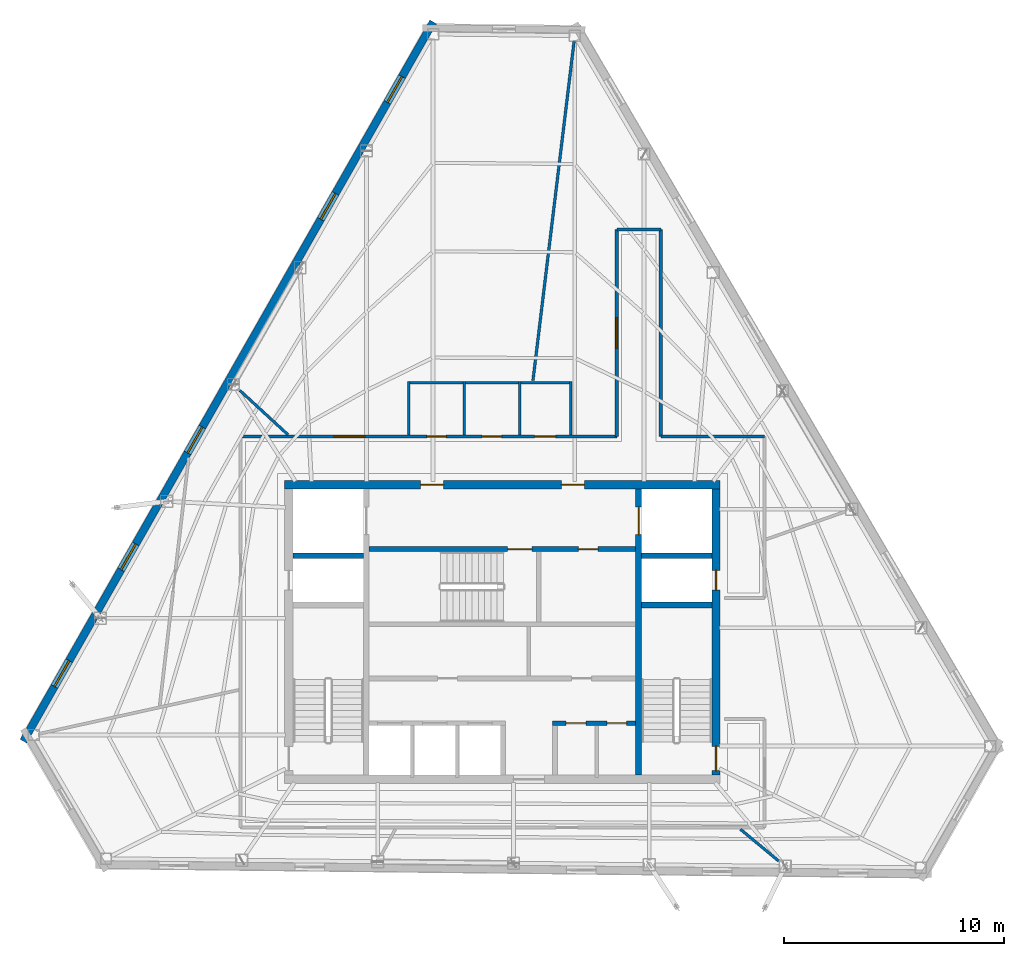
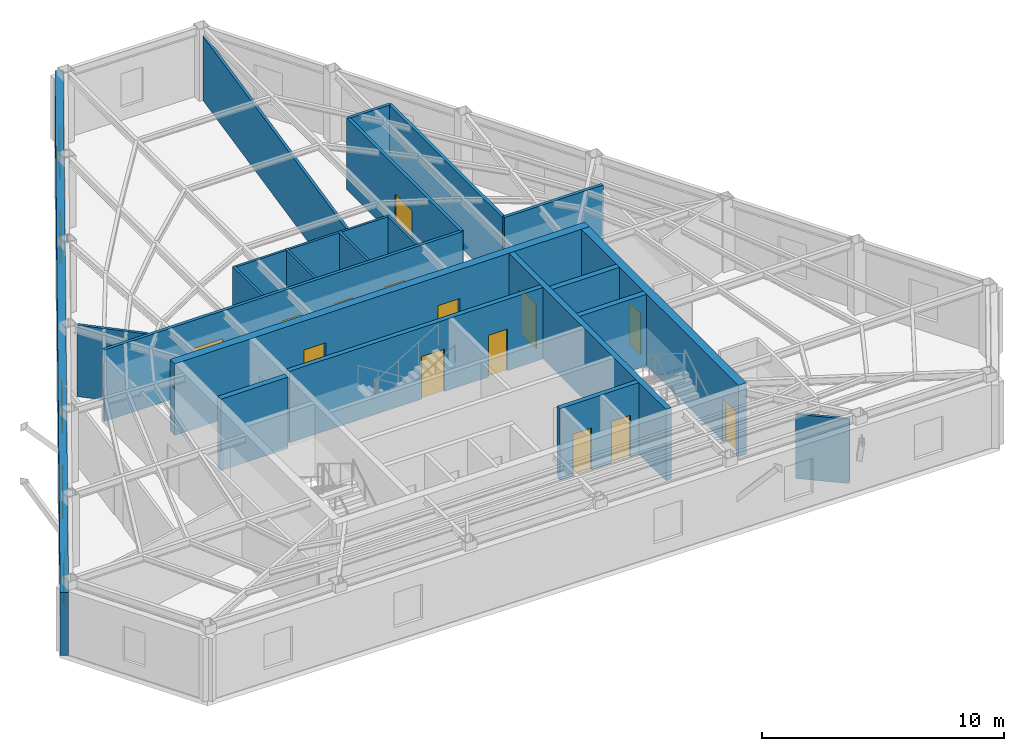
# One storey, part 9 of 11: 22 walls, 14 doors, 5 windows, 19 openings.
"""IFC4 building model written with IfcOpenShell, lengths in metres."""

from ifc_helpers import new_model, si_unit, direction, frame, frame_2d, origin, place, context, subcontext, project, spatial, rectangle, extrude, material, layer, layer_set, type_object, element, fill, save


model = new_model("IFC4")

# Units and contexts
model_context = context("Model", 3, precision=1e-05, world=origin(), true_north=direction((0.0, 1.0)))
body_context = subcontext(model_context, "Body", "Model", "MODEL_VIEW")
ifc_project = project(units=[si_unit("LENGTHUNIT", "METRE"), si_unit("AREAUNIT", "SQUARE_METRE"), si_unit("VOLUMEUNIT", "CUBIC_METRE"), si_unit("PLANEANGLEUNIT", "RADIAN"), si_unit("MASSUNIT", "GRAM", prefix="KILO")], contexts=[model_context])

# Site, building, storey
site_placement = place(None, origin())
site = spatial("IfcSite", under=ifc_project, at=site_placement, CompositionType="ELEMENT")
building_placement = place(site_placement, origin())
building = spatial("IfcBuilding", under=site, at=building_placement, Name="Kavelnor Concourse Tower", CompositionType="ELEMENT")
storey_placement = place(building_placement, frame((0.0, 0.0, 258.75)))
storey = spatial("IfcBuildingStorey", under=building, at=storey_placement, Name="L65", CompositionType="ELEMENT", Elevation=258.75)

# Wall, openings, doors
ifc_material_1 = material(Name="Concrete C50/60", Category="concrete")
ifc_layer_1 = layer(ifc_material_1, 0.3798828125, Name="Concrete C50/60")
ifc_layer_set_1 = layer_set([ifc_layer_1], Name="Concrete C50/60")
wall_type_1 = type_object("IfcWallType", Name="WL-CORE-Z4-380", PredefinedType="SOLIDWALL", material=ifc_layer_set_1)
wall_1_placement = place(storey_placement, frame((28.10009765625, 22.7900390625, 0.0), z_axis=(0.0, 0.0, 1.0), x_axis=(1.0, 0.0, 0.0)))
wall_1 = element("IfcWall", 1, at=wall_1_placement, inside=storey, type_object=wall_type_1, Name="L65 Central Core North Shear Wall", PredefinedType="SOLIDWALL", context=body_context, shape_type="SweptSolid", body=[
    extrude(rectangle(XDim=19.7998046875, YDim=0.3798828125, at=frame_2d((9.89990234375, 0.0))), origin(), (0.0, 0.0, 1.0), 3.610107421875),
])
opening_1_placement = place(wall_1_placement, frame((6.175048828125, 0.0, 0.0)))
opening_1 = element("IfcOpeningElement", 2, at=opening_1_placement, cuts=wall_1, Name="Opening FD-105", PredefinedType="OPENING", context=body_context, shape_type="SweptSolid", body=[
    extrude(rectangle(XDim=1.050048828125, YDim=2.14990234375, at=frame_2d((0.52490234375, 1.074951171875))), frame((0.0, 0.199951171875, 0.0), z_axis=(0.0, -1.0, 0.0), x_axis=(1.0, 0.0, 0.0)), (0.0, 0.0, 1.0), 0.39990234375),
])
opening_2_placement = place(wall_1_placement, frame((12.574951171875, 0.0, 0.0)))
opening_2 = element("IfcOpeningElement", 3, at=opening_2_placement, cuts=wall_1, Name="Opening FD-105", PredefinedType="OPENING", context=body_context, shape_type="SweptSolid", body=[
    extrude(rectangle(XDim=1.050048828125, YDim=2.14990234375, at=frame_2d((0.52490234375, 1.074951171875))), frame((0.0, 0.199951171875, 0.0), z_axis=(0.0, -1.0, 0.0), x_axis=(1.0, 0.0, 0.0)), (0.0, 0.0, 1.0), 0.39990234375),
])
ifc_material_2 = material(Name="Steel Grade 350", Category="steel")
door_type_1 = type_object("IfcDoorType", Name="DR-LOBBY-FIRE-1050", OperationType="NOTDEFINED", PredefinedType="DOOR", material=ifc_material_2)
door_1_placement = place(opening_1_placement, origin())
door_1 = element("IfcDoor", 4, at=door_1_placement, inside=storey, type_object=door_type_1, Name="L65 Emergency Lift Lobby West Door", OperationType="SINGLE_SWING_LEFT", OverallHeight=2.14990234375, OverallWidth=1.050048828125, PredefinedType="DOOR", context=body_context, shape_type="SweptSolid", body=[
    extrude(rectangle(XDim=1.050048828125, YDim=2.14990234375, at=frame_2d((0.52490234375, 1.074951171875))), frame((0.0, 0.02490234375, 0.0), z_axis=(0.0, -1.0, 0.0), x_axis=(1.0, 0.0, 0.0)), (0.0, 0.0, 1.0), 0.050048828125),
])
fill(opening_1, door_1)
door_2_placement = place(opening_2_placement, origin())
door_2 = element("IfcDoor", 5, at=door_2_placement, inside=storey, type_object=door_type_1, Name="L65 Emergency Lift Lobby East Door", OperationType="SINGLE_SWING_RIGHT", OverallHeight=2.14990234375, OverallWidth=1.050048828125, PredefinedType="DOOR", context=body_context, shape_type="SweptSolid", body=[
    extrude(rectangle(XDim=1.050048828125, YDim=2.14990234375, at=frame_2d((0.52490234375, 1.074951171875))), frame((0.0, 0.02490234375, 0.0), z_axis=(0.0, -1.0, 0.0), x_axis=(1.0, 0.0, 0.0)), (0.0, 0.0, 1.0), 0.050048828125),
])
fill(opening_2, door_2)

wall_2_placement = place(storey_placement, frame((47.7099609375, 9.60009765625, 0.0), z_axis=(0.0, 0.0, 1.0), x_axis=(0.0, 1.0, 0.0)))
wall_2 = element("IfcWall", 6, at=wall_2_placement, inside=storey, type_object=wall_type_1, Name="L65 Central Core East Shear Wall", PredefinedType="SOLIDWALL", context=body_context, shape_type="SweptSolid", body=[
    extrude(rectangle(XDim=13.0, YDim=0.3798828125, at=frame_2d((6.5, 0.0))), origin(), (0.0, 0.0, 1.0), 3.610107421875),
])
opening_3_placement = place(wall_2_placement, frame((0.199951171875, 0.0, 0.0)))
opening_3 = element("IfcOpeningElement", 7, at=opening_3_placement, cuts=wall_2, Name="Opening FD-110", PredefinedType="OPENING", context=body_context, shape_type="SweptSolid", body=[
    extrude(rectangle(XDim=1.10009765625, YDim=2.14990234375, at=frame_2d((0.550048828125, 1.074951171875))), frame((0.0, 0.199951171875, 0.0), z_axis=(0.0, -1.0, 0.0), x_axis=(1.0, 0.0, 0.0)), (0.0, 0.0, 1.0), 0.39990234375),
])
opening_4_placement = place(wall_2_placement, frame((8.39990234375, 0.0, 0.0)))
opening_4 = element("IfcOpeningElement", 8, at=opening_4_placement, cuts=wall_2, Name="Opening FD-090", PredefinedType="OPENING", context=body_context, shape_type="SweptSolid", body=[
    extrude(rectangle(XDim=0.89990234375, YDim=2.10009765625, at=frame_2d((0.449951171875, 1.050048828125))), frame((0.0, 0.199951171875, 0.0), z_axis=(0.0, -1.0, 0.0), x_axis=(1.0, 0.0, 0.0)), (0.0, 0.0, 1.0), 0.39990234375),
])
door_type_2 = type_object("IfcDoorType", Name="DR-RISER-FIRE-900", OperationType="NOTDEFINED", PredefinedType="DOOR", material=ifc_material_2)
door_3_placement = place(opening_4_placement, origin())
door_3 = element("IfcDoor", 9, at=door_3_placement, inside=storey, type_object=door_type_2, Name="L65 East Riser Access Door", OperationType="SINGLE_SWING_LEFT", OverallHeight=2.10009765625, OverallWidth=0.89990234375, PredefinedType="DOOR", context=body_context, shape_type="SweptSolid", body=[
    extrude(rectangle(XDim=0.89990234375, YDim=2.10009765625, at=frame_2d((0.449951171875, 1.050048828125))), frame((0.0, 0.02490234375, 0.0), z_axis=(0.0, -1.0, 0.0), x_axis=(1.0, 0.0, 0.0)), (0.0, 0.0, 1.0), 0.050048828125),
])
fill(opening_4, door_3)
door_type_3 = type_object("IfcDoorType", Name="DR-STAIR-FIRE-1100", OperationType="NOTDEFINED", PredefinedType="DOOR", material=ifc_material_2)
door_4_placement = place(opening_3_placement, origin())
door_4 = element("IfcDoor", 10, at=door_4_placement, inside=storey, type_object=door_type_3, Name="L65 Stair ST2 Fire Door", OperationType="SINGLE_SWING_RIGHT", OverallHeight=2.14990234375, OverallWidth=1.10009765625, PredefinedType="DOOR", context=body_context, shape_type="SweptSolid", body=[
    extrude(rectangle(XDim=1.10009765625, YDim=2.14990234375, at=frame_2d((0.550048828125, 1.074951171875))), frame((0.0, 0.02490234375, 0.0), z_axis=(0.0, -1.0, 0.0), x_axis=(1.0, 0.0, 0.0)), (0.0, 0.0, 1.0), 0.050048828125),
])
fill(opening_3, door_4)

# Wall, openings, windows
ifc_material_3 = material(Name="Red-ochre clay face brick masonry", Category="masonry")
ifc_layer_2 = layer(ifc_material_3, 0.35009765625, Name="Red-ochre clay face brick masonry")
ifc_layer_set_2 = layer_set([ifc_layer_2], Name="Red-ochre clay face brick masonry")
wall_type_2 = type_object("IfcWallType", Name="WL-EXT-RED-BRICK-PIER-350", PredefinedType="STANDARD", material=ifc_layer_set_2)
wall_3_placement = place(storey_placement, frame((16.214111328125, 11.135498046875, 0.0), z_axis=(0.0, 0.0, 1.0), x_axis=(0.49510347201, 0.868834018673, 0.0)))
wall_3 = element("IfcWall", 11, at=wall_3_placement, inside=storey, type_object=wall_type_2, Name="L65 Exterior Brick Facade Wall E1", PredefinedType="STANDARD", context=body_context, shape_type="SweptSolid", body=[
    extrude(rectangle(XDim=37.64306640625, YDim=0.35009765625, at=frame_2d((18.821533203125, 0.0))), origin(), (0.0, 0.0, 1.0), 3.196044921875),
])
opening_5_placement = place(wall_3_placement, frame((33.4287109375, 0.0, 0.64990234375)))
opening_5 = element("IfcOpeningElement", 12, at=opening_5_placement, cuts=wall_3, Name="Opening W-04", PredefinedType="OPENING", context=body_context, shape_type="SweptSolid", body=[
    extrude(rectangle(XDim=1.35009765625, YDim=1.75, at=frame_2d((0.675048828125, 0.875))), frame((0.0, 0.18505859375, 0.0), z_axis=(0.0, -1.0, 0.0), x_axis=(1.0, 0.0, 0.0)), (0.0, 0.0, 1.0), 0.3701171875),
])
opening_6_placement = place(wall_3_placement, frame((27.314697265625, 0.0, 0.64990234375)))
opening_6 = element("IfcOpeningElement", 13, at=opening_6_placement, cuts=wall_3, Name="Opening W-04", PredefinedType="OPENING", context=body_context, shape_type="SweptSolid", body=[
    extrude(rectangle(XDim=1.35009765625, YDim=1.75, at=frame_2d((0.675048828125, 0.875))), frame((0.0, 0.18505859375, 0.0), z_axis=(0.0, -1.0, 0.0), x_axis=(1.0, 0.0, 0.0)), (0.0, 0.0, 1.0), 0.3701171875),
])
opening_7_placement = place(wall_3_placement, frame((15.0869140625, 0.0, 0.64990234375)))
opening_7 = element("IfcOpeningElement", 14, at=opening_7_placement, cuts=wall_3, Name="Opening W-04", PredefinedType="OPENING", context=body_context, shape_type="SweptSolid", body=[
    extrude(rectangle(XDim=1.35009765625, YDim=1.75, at=frame_2d((0.675048828125, 0.875))), frame((0.0, 0.18505859375, 0.0), z_axis=(0.0, -1.0, 0.0), x_axis=(1.0, 0.0, 0.0)), (0.0, 0.0, 1.0), 0.3701171875),
])
opening_8_placement = place(wall_3_placement, frame((8.972900390625, 0.0, 0.64990234375)))
opening_8 = element("IfcOpeningElement", 15, at=opening_8_placement, cuts=wall_3, Name="Opening W-04", PredefinedType="OPENING", context=body_context, shape_type="SweptSolid", body=[
    extrude(rectangle(XDim=1.35009765625, YDim=1.75, at=frame_2d((0.675048828125, 0.875))), frame((0.0, 0.18505859375, 0.0), z_axis=(0.0, -1.0, 0.0), x_axis=(1.0, 0.0, 0.0)), (0.0, 0.0, 1.0), 0.3701171875),
])
opening_9_placement = place(wall_3_placement, frame((2.85888671875, 0.0, 0.64990234375)))
opening_9 = element("IfcOpeningElement", 16, at=opening_9_placement, cuts=wall_3, Name="Opening W-04", PredefinedType="OPENING", context=body_context, shape_type="SweptSolid", body=[
    extrude(rectangle(XDim=1.35009765625, YDim=1.75, at=frame_2d((0.675048828125, 0.875))), frame((0.0, 0.18505859375, 0.0), z_axis=(0.0, -1.0, 0.0), x_axis=(1.0, 0.0, 0.0)), (0.0, 0.0, 1.0), 0.3701171875),
])
ifc_material_4 = material(Name="Double low-E argon insulated glazing", Category="glass")
window_type = type_object("IfcWindowType", Name="WIN-PIER-Z4-1350", PartitioningType="SINGLE_PANEL", PredefinedType="WINDOW", material=ifc_material_4)
window_1_placement = place(opening_5_placement, origin())
window_1 = element("IfcWindow", 17, at=window_1_placement, inside=storey, type_object=window_type, Name="L65 Deep-Set Brick Pier Window F0-B0", OverallHeight=1.75, OverallWidth=1.35009765625, PartitioningType="SINGLE_PANEL", PredefinedType="WINDOW", context=body_context, shape_type="SweptSolid", body=[
    extrude(rectangle(XDim=1.35009765625, YDim=1.75, at=frame_2d((0.675048828125, 0.875))), frame((0.0, 0.030029296875, 0.0), z_axis=(0.0, -1.0, 0.0), x_axis=(1.0, 0.0, 0.0)), (0.0, 0.0, 1.0), 0.06005859375),
])
fill(opening_5, window_1)
window_2_placement = place(opening_6_placement, origin())
window_2 = element("IfcWindow", 18, at=window_2_placement, inside=storey, type_object=window_type, Name="L65 Deep-Set Brick Pier Window F0-B1", OverallHeight=1.75, OverallWidth=1.35009765625, PartitioningType="SINGLE_PANEL", PredefinedType="WINDOW", context=body_context, shape_type="SweptSolid", body=[
    extrude(rectangle(XDim=1.35009765625, YDim=1.75, at=frame_2d((0.675048828125, 0.875))), frame((0.0, 0.030029296875, 0.0), z_axis=(0.0, -1.0, 0.0), x_axis=(1.0, 0.0, 0.0)), (0.0, 0.0, 1.0), 0.06005859375),
])
fill(opening_6, window_2)
window_3_placement = place(opening_7_placement, origin())
window_3 = element("IfcWindow", 19, at=window_3_placement, inside=storey, type_object=window_type, Name="L65 Deep-Set Brick Pier Window F0-B3", OverallHeight=1.75, OverallWidth=1.35009765625, PartitioningType="SINGLE_PANEL", PredefinedType="WINDOW", context=body_context, shape_type="SweptSolid", body=[
    extrude(rectangle(XDim=1.35009765625, YDim=1.75, at=frame_2d((0.675048828125, 0.875))), frame((0.0, 0.030029296875, 0.0), z_axis=(0.0, -1.0, 0.0), x_axis=(1.0, 0.0, 0.0)), (0.0, 0.0, 1.0), 0.06005859375),
])
fill(opening_7, window_3)
window_4_placement = place(opening_8_placement, origin())
window_4 = element("IfcWindow", 20, at=window_4_placement, inside=storey, type_object=window_type, Name="L65 Deep-Set Brick Pier Window F0-B4", OverallHeight=1.75, OverallWidth=1.35009765625, PartitioningType="SINGLE_PANEL", PredefinedType="WINDOW", context=body_context, shape_type="SweptSolid", body=[
    extrude(rectangle(XDim=1.35009765625, YDim=1.75, at=frame_2d((0.675048828125, 0.875))), frame((0.0, 0.030029296875, 0.0), z_axis=(0.0, -1.0, 0.0), x_axis=(1.0, 0.0, 0.0)), (0.0, 0.0, 1.0), 0.06005859375),
])
fill(opening_8, window_4)
window_5_placement = place(opening_9_placement, origin())
window_5 = element("IfcWindow", 21, at=window_5_placement, inside=storey, type_object=window_type, Name="L65 Deep-Set Brick Pier Window F0-B5", OverallHeight=1.75, OverallWidth=1.35009765625, PartitioningType="SINGLE_PANEL", PredefinedType="WINDOW", context=body_context, shape_type="SweptSolid", body=[
    extrude(rectangle(XDim=1.35009765625, YDim=1.75, at=frame_2d((0.675048828125, 0.875))), frame((0.0, 0.030029296875, 0.0), z_axis=(0.0, -1.0, 0.0), x_axis=(1.0, 0.0, 0.0)), (0.0, 0.0, 1.0), 0.06005859375),
])
fill(opening_9, window_5)

# Wall, opening, door
ifc_material_5 = material(Name="Gypsum plasterboard on light-gauge steel studs", Category="steel")
ifc_layer_3 = layer(ifc_material_5, 0.14501953125, Name="Gypsum plasterboard on light-gauge steel studs")
ifc_layer_set_3 = layer_set([ifc_layer_3], Name="Gypsum plasterboard on light-gauge steel studs")
wall_type_3 = type_object("IfcWallType", Name="WL-INT-CORR-145", PredefinedType="PARTITIONING", material=ifc_layer_set_3)
wall_4_placement = place(storey_placement, frame((43.199951171875, 24.989990234375, 0.0), z_axis=(0.0, 0.0, 1.0), x_axis=(0.0, 1.0, 0.0)))
wall_4 = element("IfcWall", 22, at=wall_4_placement, inside=storey, type_object=wall_type_3, Name="L65 Corridor Wall WL-L65-CR-01", PredefinedType="PARTITIONING", context=body_context, shape_type="SweptSolid", body=[
    extrude(rectangle(XDim=9.409912109375, YDim=0.14501953125, at=frame_2d((4.705078125, 0.0))), origin(), (0.0, 0.0, 1.0), 3.610107421875),
])
opening_10_placement = place(wall_4_placement, frame((4.0048828125, 0.0, 0.0)))
opening_10 = element("IfcOpeningElement", 23, at=opening_10_placement, cuts=wall_4, Name="Opening SD-140", PredefinedType="OPENING", context=body_context, shape_type="SweptSolid", body=[
    extrude(rectangle(XDim=1.39990234375, YDim=2.199951171875, at=frame_2d((0.699951171875, 1.10009765625))), frame((0.0, 0.08251953125, 0.0), z_axis=(0.0, -1.0, 0.0), x_axis=(1.0, 0.0, 0.0)), (0.0, 0.0, 1.0), 0.1650390625),
])
ifc_material_6 = material(Name="Solid-core hardwood timber", Category="wood")
door_type_4 = type_object("IfcDoorType", Name="DR-SUITE-ENTRY-1400", OperationType="NOTDEFINED", PredefinedType="DOOR", material=ifc_material_6)
door_5_placement = place(opening_10_placement, origin())
door_5 = element("IfcDoor", 24, at=door_5_placement, inside=storey, type_object=door_type_4, Name="L65 Staff Breakout Pantry 01 Door", OperationType="SINGLE_SWING_LEFT", OverallHeight=2.199951171875, OverallWidth=1.39990234375, PredefinedType="DOOR", context=body_context, shape_type="SweptSolid", body=[
    extrude(rectangle(XDim=1.39990234375, YDim=2.199951171875, at=frame_2d((0.699951171875, 1.10009765625))), frame((0.0, 0.02490234375, 0.0), z_axis=(0.0, -1.0, 0.0), x_axis=(1.0, 0.0, 0.0)), (0.0, 0.0, 1.0), 0.050048828125),
])
fill(opening_10, door_5)

# Walls
wall_5_placement = place(storey_placement, frame((43.199951171875, 34.39990234375, 0.0), z_axis=(0.0, 0.0, 1.0), x_axis=(1.0, 0.0, 0.0)))
element("IfcWall", 25, at=wall_5_placement, inside=storey, type_object=wall_type_3, Name="L65 Corridor Wall WL-L65-CR-02", PredefinedType="PARTITIONING", context=body_context, shape_type="SweptSolid", body=[
    extrude(rectangle(XDim=2.0, YDim=0.14501953125, at=frame_2d((1.0, 0.0))), origin(), (0.0, 0.0, 1.0), 3.610107421875),
])
wall_6_placement = place(storey_placement, frame((45.199951171875, 34.39990234375, 0.0), z_axis=(0.0, 0.0, 1.0), x_axis=(0.0, -1.0, 0.0)))
element("IfcWall", 26, at=wall_6_placement, inside=storey, type_object=wall_type_3, Name="L65 Corridor Wall WL-L65-CR-03", PredefinedType="PARTITIONING", context=body_context, shape_type="SweptSolid", body=[
    extrude(rectangle(XDim=9.409912109375, YDim=0.14501953125, at=frame_2d((4.705078125, 0.0))), origin(), (0.0, 0.0, 1.0), 3.610107421875),
])
wall_7_placement = place(storey_placement, frame((45.199951171875, 24.989990234375, 0.0), z_axis=(0.0, 0.0, 1.0), x_axis=(1.0, 0.0, 0.0)))
element("IfcWall", 27, at=wall_7_placement, inside=storey, type_object=wall_type_3, Name="L65 Corridor Wall WL-L65-CR-04", PredefinedType="PARTITIONING", context=body_context, shape_type="SweptSolid", body=[
    extrude(rectangle(XDim=4.7099609375, YDim=0.14501953125, at=frame_2d((2.35498046875, 0.0))), origin(), (0.0, 0.0, 1.0), 3.610107421875),
])

# Wall, openings, doors
wall_8_placement = place(storey_placement, frame((26.090087890625, 24.989990234375, 0.0), z_axis=(0.0, 0.0, 1.0), x_axis=(1.0, 0.0, 0.0)))
wall_8 = element("IfcWall", 28, at=wall_8_placement, inside=storey, type_object=wall_type_3, Name="L65 Corridor Wall WL-L65-CR-11", PredefinedType="PARTITIONING", context=body_context, shape_type="SweptSolid", body=[
    extrude(rectangle(XDim=17.10986328125, YDim=0.14501953125, at=frame_2d((8.554931640625, 0.0))), origin(), (0.0, 0.0, 1.0), 3.610107421875),
])
opening_11_placement = place(wall_8_placement, frame((8.469970703125, 0.0, 0.0)))
opening_11 = element("IfcOpeningElement", 29, at=opening_11_placement, cuts=wall_8, Name="Opening WD-088", PredefinedType="OPENING", context=body_context, shape_type="SweptSolid", body=[
    extrude(rectangle(XDim=0.8798828125, YDim=2.10009765625, at=frame_2d((0.43994140625, 1.050048828125))), frame((0.0, 0.08251953125, 0.0), z_axis=(0.0, -1.0, 0.0), x_axis=(1.0, 0.0, 0.0)), (0.0, 0.0, 1.0), 0.1650390625),
])
opening_12_placement = place(wall_8_placement, frame((10.989990234375, 0.0, 0.0)))
opening_12 = element("IfcOpeningElement", 30, at=opening_12_placement, cuts=wall_8, Name="Opening WD-088", PredefinedType="OPENING", context=body_context, shape_type="SweptSolid", body=[
    extrude(rectangle(XDim=0.8798828125, YDim=2.10009765625, at=frame_2d((0.43994140625, 1.050048828125))), frame((0.0, 0.08251953125, 0.0), z_axis=(0.0, -1.0, 0.0), x_axis=(1.0, 0.0, 0.0)), (0.0, 0.0, 1.0), 0.1650390625),
])
opening_13_placement = place(wall_8_placement, frame((13.3701171875, 0.0, 0.0)))
opening_13 = element("IfcOpeningElement", 31, at=opening_13_placement, cuts=wall_8, Name="Opening WD-096", PredefinedType="OPENING", context=body_context, shape_type="SweptSolid", body=[
    extrude(rectangle(XDim=0.9599609375, YDim=2.10009765625, at=frame_2d((0.47998046875, 1.050048828125))), frame((0.0, 0.08251953125, 0.0), z_axis=(0.0, -1.0, 0.0), x_axis=(1.0, 0.0, 0.0)), (0.0, 0.0, 1.0), 0.1650390625),
])
opening_14_placement = place(wall_8_placement, frame((4.257080078125, 0.0, 0.0)))
opening_14 = element("IfcOpeningElement", 32, at=opening_14_placement, cuts=wall_8, Name="Opening SD-140", PredefinedType="OPENING", context=body_context, shape_type="SweptSolid", body=[
    extrude(rectangle(XDim=1.39990234375, YDim=2.199951171875, at=frame_2d((0.699951171875, 1.10009765625))), frame((0.0, 0.08251953125, 0.0), z_axis=(0.0, -1.0, 0.0), x_axis=(1.0, 0.0, 0.0)), (0.0, 0.0, 1.0), 0.1650390625),
])
door_6_placement = place(opening_14_placement, origin())
door_6 = element("IfcDoor", 33, at=door_6_placement, inside=storey, type_object=door_type_4, Name="L65 Client Concierge 02 Door", OperationType="SINGLE_SWING_RIGHT", OverallHeight=2.199951171875, OverallWidth=1.39990234375, PredefinedType="DOOR", context=body_context, shape_type="SweptSolid", body=[
    extrude(rectangle(XDim=1.39990234375, YDim=2.199951171875, at=frame_2d((0.699951171875, 1.10009765625))), frame((0.0, 0.02490234375, 0.0), z_axis=(0.0, -1.0, 0.0), x_axis=(1.0, 0.0, 0.0)), (0.0, 0.0, 1.0), 0.050048828125),
])
fill(opening_14, door_6)
door_type_5 = type_object("IfcDoorType", Name="DR-WC-ACC-960", OperationType="NOTDEFINED", PredefinedType="DOOR", material=ifc_material_6)
door_7_placement = place(opening_13_placement, origin())
door_7 = element("IfcDoor", 34, at=door_7_placement, inside=storey, type_object=door_type_5, Name="L65 Accessible WC Door", OperationType="SINGLE_SWING_RIGHT", OverallHeight=2.10009765625, OverallWidth=0.9599609375, PredefinedType="DOOR", context=body_context, shape_type="SweptSolid", body=[
    extrude(rectangle(XDim=0.9599609375, YDim=2.10009765625, at=frame_2d((0.47998046875, 1.050048828125))), frame((0.0, 0.02490234375, 0.0), z_axis=(0.0, -1.0, 0.0), x_axis=(1.0, 0.0, 0.0)), (0.0, 0.0, 1.0), 0.050048828125),
])
fill(opening_13, door_7)
door_type_6 = type_object("IfcDoorType", Name="DR-WC-STD-880", OperationType="NOTDEFINED", PredefinedType="DOOR", material=ifc_material_6)
door_8_placement = place(opening_11_placement, origin())
door_8 = element("IfcDoor", 35, at=door_8_placement, inside=storey, type_object=door_type_6, Name="L65 Male WC Door", OperationType="SINGLE_SWING_RIGHT", OverallHeight=2.10009765625, OverallWidth=0.8798828125, PredefinedType="DOOR", context=body_context, shape_type="SweptSolid", body=[
    extrude(rectangle(XDim=0.8798828125, YDim=2.10009765625, at=frame_2d((0.43994140625, 1.050048828125))), frame((0.0, 0.02490234375, 0.0), z_axis=(0.0, -1.0, 0.0), x_axis=(1.0, 0.0, 0.0)), (0.0, 0.0, 1.0), 0.050048828125),
])
fill(opening_11, door_8)
door_9_placement = place(opening_12_placement, origin())
door_9 = element("IfcDoor", 36, at=door_9_placement, inside=storey, type_object=door_type_6, Name="L65 Female WC Door", OperationType="SINGLE_SWING_LEFT", OverallHeight=2.10009765625, OverallWidth=0.8798828125, PredefinedType="DOOR", context=body_context, shape_type="SweptSolid", body=[
    extrude(rectangle(XDim=0.8798828125, YDim=2.10009765625, at=frame_2d((0.43994140625, 1.050048828125))), frame((0.0, 0.02490234375, 0.0), z_axis=(0.0, -1.0, 0.0), x_axis=(1.0, 0.0, 0.0)), (0.0, 0.0, 1.0), 0.050048828125),
])
fill(opening_12, door_9)

# Walls
ifc_layer_4 = layer(ifc_material_5, 0.125, Name="Gypsum plasterboard on light-gauge steel studs")
ifc_layer_set_4 = layer_set([ifc_layer_4], Name="Gypsum plasterboard on light-gauge steel studs")
wall_type_4 = type_object("IfcWallType", Name="WL-INT-SUITE-125", PredefinedType="PARTITIONING", material=ifc_layer_set_4)
wall_9_placement = place(storey_placement, frame((39.387451171875, 27.5400390625, 0.0), z_axis=(0.0, 0.0, 1.0), x_axis=(0.12041169592, 0.99272404196, 0.0)))
element("IfcWall", 37, at=wall_9_placement, inside=storey, type_object=wall_type_4, Name="L65 Radial Suite Partition 02", PredefinedType="PARTITIONING", context=body_context, shape_type="SweptSolid", body=[
    extrude(rectangle(XDim=15.52099609375, YDim=0.125, at=frame_2d((7.760498046875, 0.0))), origin(), (0.0, 0.0, 1.0), 3.24609375),
])
wall_10_placement = place(storey_placement, frame((28.246826171875, 25.070556640625, 0.0), z_axis=(0.0, 0.0, 1.0), x_axis=(-0.736030630255, 0.67694823386, 0.0)))
element("IfcWall", 38, at=wall_10_placement, inside=storey, type_object=wall_type_4, Name="L65 Radial Suite Partition 03", PredefinedType="PARTITIONING", context=body_context, shape_type="SweptSolid", body=[
    extrude(rectangle(XDim=2.979248046875, YDim=0.125, at=frame_2d((1.48974609375, 0.0))), origin(), (0.0, 0.0, 1.0), 3.610107421875),
])
wall_11_placement = place(storey_placement, frame((48.82080078125, 7.12939453125, 0.0), z_axis=(0.0, 0.0, 1.0), x_axis=(0.769836810093, -0.63824077418, 0.0)))
element("IfcWall", 39, at=wall_11_placement, inside=storey, type_object=wall_type_4, Name="L65 Radial Suite Partition 06", PredefinedType="PARTITIONING", context=body_context, shape_type="SweptSolid", body=[
    extrude(rectangle(XDim=2.263427734375, YDim=0.125, at=frame_2d((1.1318359375, 0.0))), origin(), (0.0, 0.0, 1.0), 3.24609375),
])
ifc_layer_5 = layer(ifc_material_5, 0.110107421875, Name="Gypsum plasterboard on light-gauge steel studs")
ifc_layer_set_5 = layer_set([ifc_layer_5], Name="Gypsum plasterboard on light-gauge steel studs")
wall_type_5 = type_object("IfcWallType", Name="WL-INT-WC-110", PredefinedType="PLUMBINGWALL", material=ifc_layer_set_5)
for number, where, z_axis, x_axis, name in (
    (40, (33.739990234375, 25.06005859375, 0.0), (0.0, 0.0, 1.0), (0.0, 1.0, 0.0), "L65 Sanitary Partition WL-L65-WC-W"),
    (41, (36.260009765625, 25.06005859375, 0.0), (0.0, 0.0, 1.0), (0.0, 1.0, 0.0), "L65 Sanitary Partition WL-L65-WC-D1"),
    (42, (38.780029296875, 25.06005859375, 0.0), (0.0, 0.0, 1.0), (0.0, 1.0, 0.0), "L65 Sanitary Partition WL-L65-WC-D2"),
    (43, (41.10009765625, 25.06005859375, 0.0), (0.0, 0.0, 1.0), (0.0, 1.0, 0.0), "L65 Sanitary Partition WL-L65-WC-E"),
):
    element("IfcWall", number, at=place(storey_placement, frame(where, z_axis=z_axis, x_axis=x_axis)), inside=storey, type_object=wall_type_5, Name=name, PredefinedType="PLUMBINGWALL", context=body_context, shape_type="SweptSolid", body=[
        extrude(rectangle(XDim=2.43994140625, YDim=0.110107421875, at=frame_2d((1.219970703125, 0.0))), origin(), (0.0, 0.0, 1.0), 3.610107421875),
    ])
wall_12_placement = place(storey_placement, frame((33.68994140625, 27.43994140625, 0.0), z_axis=(0.0, 0.0, 1.0), x_axis=(1.0, 0.0, 0.0)))
element("IfcWall", 44, at=wall_12_placement, inside=storey, type_object=wall_type_5, Name="L65 Sanitary Partition WL-L65-WC-N", PredefinedType="PLUMBINGWALL", context=body_context, shape_type="SweptSolid", body=[
    extrude(rectangle(XDim=7.4599609375, YDim=0.110107421875, at=frame_2d((3.72998046875, 0.0))), origin(), (0.0, 0.0, 1.0), 3.610107421875),
])

# Wall, openings, doors
ifc_layer_6 = layer(ifc_material_1, 0.219970703125, Name="Concrete C50/60")
ifc_layer_set_6 = layer_set([ifc_layer_6], Name="Concrete C50/60")
wall_type_6 = type_object("IfcWallType", Name="WL-SHAFT-220", PredefinedType="SOLIDWALL", material=ifc_layer_set_6)
wall_13_placement = place(storey_placement, frame((31.93994140625, 19.8701171875, 0.0), z_axis=(0.0, 0.0, 1.0), x_axis=(1.0, 0.0, 0.0)))
wall_13 = element("IfcWall", 45, at=wall_13_placement, inside=storey, type_object=wall_type_6, Name="L65 Emergency Lift Lobby South Wall", PredefinedType="SOLIDWALL", context=body_context, shape_type="SweptSolid", body=[
    extrude(rectangle(XDim=12.1201171875, YDim=0.219970703125, at=frame_2d((6.06005859375, 0.0))), origin(), (0.0, 0.0, 1.0), 3.610107421875),
])
opening_15_placement = place(wall_13_placement, frame((6.300048828125, 0.0, 0.0)))
opening_15 = element("IfcOpeningElement", 46, at=opening_15_placement, cuts=wall_13, Name="Opening FD-110", PredefinedType="OPENING", context=body_context, shape_type="SweptSolid", body=[
    extrude(rectangle(XDim=1.10009765625, YDim=2.14990234375, at=frame_2d((0.550048828125, 1.074951171875))), frame((0.0, 0.1201171875, 0.0), z_axis=(0.0, -1.0, 0.0), x_axis=(1.0, 0.0, 0.0)), (0.0, 0.0, 1.0), 0.239990234375),
])
opening_16_placement = place(wall_13_placement, frame((9.510009765625, 0.0, 0.0)))
opening_16 = element("IfcOpeningElement", 47, at=opening_16_placement, cuts=wall_13, Name="Opening FD-090", PredefinedType="OPENING", context=body_context, shape_type="SweptSolid", body=[
    extrude(rectangle(XDim=0.89990234375, YDim=2.10009765625, at=frame_2d((0.449951171875, 1.050048828125))), frame((0.0, 0.1201171875, 0.0), z_axis=(0.0, -1.0, 0.0), x_axis=(1.0, 0.0, 0.0)), (0.0, 0.0, 1.0), 0.239990234375),
])
door_10_placement = place(opening_16_placement, origin())
door_10 = element("IfcDoor", 48, at=door_10_placement, inside=storey, type_object=door_type_2, Name="L65 Electrical Comms Door", OperationType="SINGLE_SWING_LEFT", OverallHeight=2.10009765625, OverallWidth=0.89990234375, PredefinedType="DOOR", context=body_context, shape_type="SweptSolid", body=[
    extrude(rectangle(XDim=0.89990234375, YDim=2.10009765625, at=frame_2d((0.449951171875, 1.050048828125))), frame((0.0, 0.02490234375, 0.0), z_axis=(0.0, -1.0, 0.0), x_axis=(1.0, 0.0, 0.0)), (0.0, 0.0, 1.0), 0.050048828125),
])
fill(opening_16, door_10)
door_11_placement = place(opening_15_placement, origin())
door_11 = element("IfcDoor", 49, at=door_11_placement, inside=storey, type_object=door_type_3, Name="L65 Stair ST3 Fire Door", OperationType="SINGLE_SWING_LEFT", OverallHeight=2.14990234375, OverallWidth=1.10009765625, PredefinedType="DOOR", context=body_context, shape_type="SweptSolid", body=[
    extrude(rectangle(XDim=1.10009765625, YDim=2.14990234375, at=frame_2d((0.550048828125, 1.074951171875))), frame((0.0, 0.02490234375, 0.0), z_axis=(0.0, -1.0, 0.0), x_axis=(1.0, 0.0, 0.0)), (0.0, 0.0, 1.0), 0.050048828125),
])
fill(opening_15, door_11)

wall_14_placement = place(storey_placement, frame((40.280029296875, 11.949951171875, 0.0), z_axis=(0.0, 0.0, 1.0), x_axis=(1.0, 0.0, 0.0)))
wall_14 = element("IfcWall", 50, at=wall_14_placement, inside=storey, type_object=wall_type_6, Name="L65 Core South Support North Wall", PredefinedType="SOLIDWALL", context=body_context, shape_type="SweptSolid", body=[
    extrude(rectangle(XDim=3.780029296875, YDim=0.219970703125, at=frame_2d((1.89013671875, 0.0))), origin(), (0.0, 0.0, 1.0), 3.610107421875),
])
opening_17_placement = place(wall_14_placement, frame((0.6201171875, 0.0, 0.0)))
opening_17 = element("IfcOpeningElement", 51, at=opening_17_placement, cuts=wall_14, Name="Opening FD-090", PredefinedType="OPENING", context=body_context, shape_type="SweptSolid", body=[
    extrude(rectangle(XDim=0.89990234375, YDim=2.10009765625, at=frame_2d((0.449951171875, 1.050048828125))), frame((0.0, 0.1201171875, 0.0), z_axis=(0.0, -1.0, 0.0), x_axis=(1.0, 0.0, 0.0)), (0.0, 0.0, 1.0), 0.239990234375),
])
opening_18_placement = place(wall_14_placement, frame((2.469970703125, 0.0, 0.0)))
opening_18 = element("IfcOpeningElement", 52, at=opening_18_placement, cuts=wall_14, Name="Opening FD-090", PredefinedType="OPENING", context=body_context, shape_type="SweptSolid", body=[
    extrude(rectangle(XDim=0.89990234375, YDim=2.10009765625, at=frame_2d((0.449951171875, 1.050048828125))), frame((0.0, 0.1201171875, 0.0), z_axis=(0.0, -1.0, 0.0), x_axis=(1.0, 0.0, 0.0)), (0.0, 0.0, 1.0), 0.239990234375),
])
door_12_placement = place(opening_17_placement, origin())
door_12 = element("IfcDoor", 53, at=door_12_placement, inside=storey, type_object=door_type_2, Name="L65 Cleaner Cupboard Door", OperationType="SINGLE_SWING_RIGHT", OverallHeight=2.10009765625, OverallWidth=0.89990234375, PredefinedType="DOOR", context=body_context, shape_type="SweptSolid", body=[
    extrude(rectangle(XDim=0.89990234375, YDim=2.10009765625, at=frame_2d((0.449951171875, 1.050048828125))), frame((0.0, 0.02490234375, 0.0), z_axis=(0.0, -1.0, 0.0), x_axis=(1.0, 0.0, 0.0)), (0.0, 0.0, 1.0), 0.050048828125),
])
fill(opening_17, door_12)
door_13_placement = place(opening_18_placement, origin())
door_13 = element("IfcDoor", 54, at=door_13_placement, inside=storey, type_object=door_type_2, Name="L65 Supplies Store Door", OperationType="SINGLE_SWING_LEFT", OverallHeight=2.10009765625, OverallWidth=0.89990234375, PredefinedType="DOOR", context=body_context, shape_type="SweptSolid", body=[
    extrude(rectangle(XDim=0.89990234375, YDim=2.10009765625, at=frame_2d((0.449951171875, 1.050048828125))), frame((0.0, 0.02490234375, 0.0), z_axis=(0.0, -1.0, 0.0), x_axis=(1.0, 0.0, 0.0)), (0.0, 0.0, 1.0), 0.050048828125),
])
fill(opening_18, door_13)

# Wall, opening, door
ifc_layer_7 = layer(ifc_material_1, 0.260009765625, Name="Concrete C50/60")
ifc_layer_set_7 = layer_set([ifc_layer_7], Name="Concrete C50/60")
wall_type_7 = type_object("IfcWallType", Name="WL-SHAFT-260", PredefinedType="SHEAR", material=ifc_layer_set_7)
wall_15_placement = place(storey_placement, frame((44.18994140625, 9.60009765625, 0.0), z_axis=(0.0, 0.0, 1.0), x_axis=(0.0, 1.0, 0.0)))
wall_15 = element("IfcWall", 55, at=wall_15_placement, inside=storey, type_object=wall_type_7, Name="L65 Core East Wing Shear Wall", PredefinedType="SHEAR", context=body_context, shape_type="SweptSolid", body=[
    extrude(rectangle(XDim=13.0, YDim=0.260009765625, at=frame_2d((6.5, 0.0))), origin(), (0.0, 0.0, 1.0), 3.610107421875),
])
opening_19_placement = place(wall_15_placement, frame((10.925048828125, 0.0, 0.0)))
opening_19 = element("IfcOpeningElement", 56, at=opening_19_placement, cuts=wall_15, Name="Opening LD-125", PredefinedType="OPENING", context=body_context, shape_type="SweptSolid", body=[
    extrude(rectangle(XDim=1.25, YDim=2.25, at=frame_2d((0.625, 1.125))), frame((0.0, 0.14013671875, 0.0), z_axis=(0.0, -1.0, 0.0), x_axis=(1.0, 0.0, 0.0)), (0.0, 0.0, 1.0), 0.280029296875),
])
door_type_7 = type_object("IfcDoorType", Name="DR-LIFT-SLIDING-1250", OperationType="NOTDEFINED", PredefinedType="DOOR", material=ifc_material_2)
door_14_placement = place(opening_19_placement, origin())
door_14 = element("IfcDoor", 57, at=door_14_placement, inside=storey, type_object=door_type_7, Name="L65 Emergency Lift FL2 Landing Door", OperationType="DOUBLE_DOOR_SLIDING", OverallHeight=2.25, OverallWidth=1.25, PredefinedType="DOOR", context=body_context, shape_type="SweptSolid", body=[
    extrude(rectangle(XDim=1.25, YDim=2.25, at=frame_2d((0.625, 1.125))), frame((0.0, 0.02490234375, 0.0), z_axis=(0.0, -1.0, 0.0), x_axis=(1.0, 0.0, 0.0)), (0.0, 0.0, 1.0), 0.050048828125),
])
fill(opening_19, door_14)

# Walls
for number, where, z_axis, x_axis, name in (
    (58, (28.47998046875, 19.570068359375, 0.0), (0.0, 0.0, 1.0), (1.0, 0.0, 0.0), "L65 Emergency Lift FL1 South Shaft Wall"),
    (59, (44.320068359375, 17.330078125, 0.0), (0.0, 0.0, 1.0), (1.0, 0.0, 0.0), "L65 Stair ST2 North Shaft Wall"),
    (60, (44.320068359375, 19.570068359375, 0.0), (0.0, 0.0, 1.0), (1.0, 0.0, 0.0), "L65 Emergency Lift FL2 South Shaft Wall"),
):
    element("IfcWall", number, at=place(storey_placement, frame(where, z_axis=z_axis, x_axis=x_axis)), inside=storey, type_object=wall_type_7, Name=name, PredefinedType="SHEAR", context=body_context, shape_type="SweptSolid", body=[
        extrude(rectangle(XDim=3.199951171875, YDim=0.260009765625, at=frame_2d((1.60009765625, 0.0))), origin(), (0.0, 0.0, 1.0), 3.610107421875),
    ])

save(model, "model.ifc")
